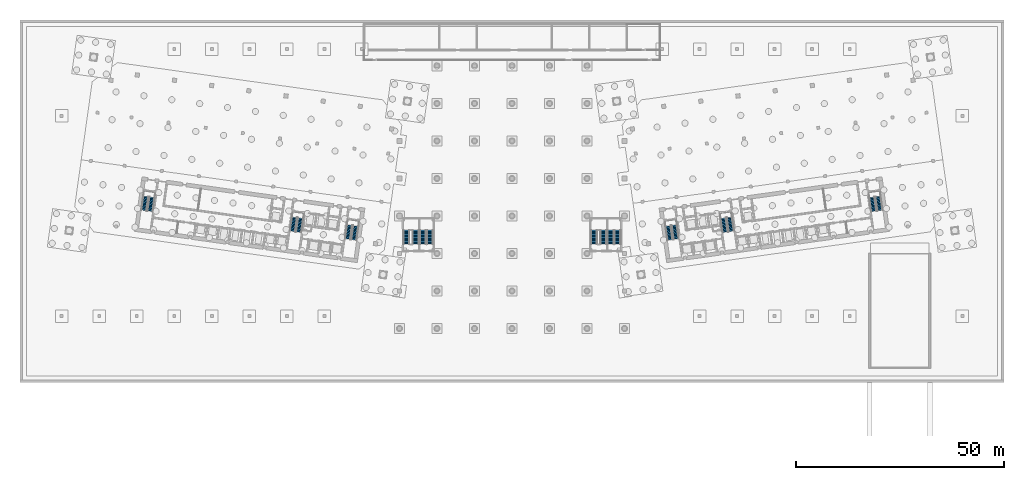
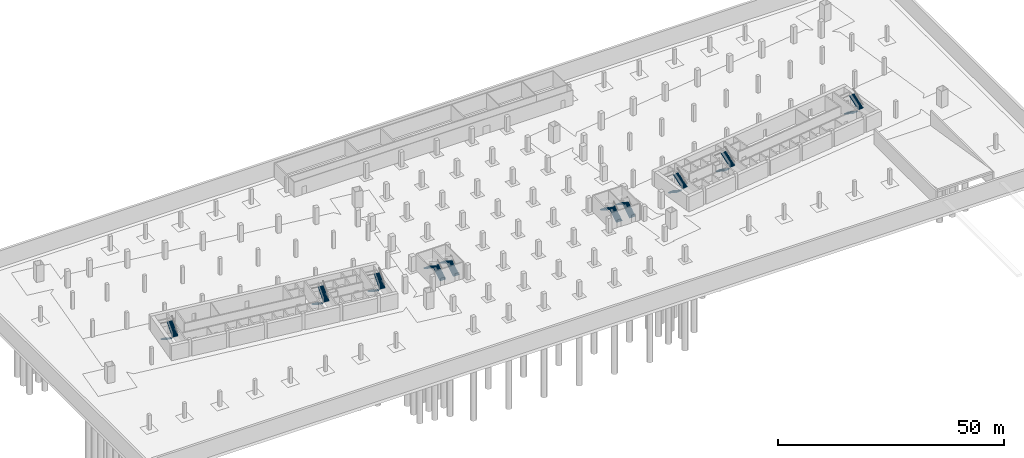
# One storey, part 14 of 19: 20 stair flights, 10 elements without a shape of their own.
"""IFC4 building model written with IfcOpenShell, lengths in metres."""

import ifcopenshell
import ifcopenshell.guid

model = None  # the IFC model being written
_history = None  # IfcOwnerHistory: only IFC2X3 demands one
_inside = {}  # id of a spatial element -> (the spatial element, [elements in it])
_under = {}  # id of a project, library or spatial element -> (it, [spatial elements below it])
_declared = {}  # id of a project -> (the project, [libraries it declares])
_typed = {}  # id of a type object -> (the type object, [elements of that type])
_made_of = {}  # id of a material, layer set ... -> (it, [elements and type objects made of it])


def new_model(schema):
    """Start an empty IFC model of exactly this schema.

    Asked for "IFC4X3", IfcOpenShell would pick the latest addendum, in which some entities
    have other attributes; the version numbers below select the first issue.
    IFC2X3 requires an IfcOwnerHistory on every rooted entity: one is made here for all.
    """
    global model, _history
    if schema == "IFC4X3":
        model = ifcopenshell.file(schema_version=(4, 3, 0, 0))
    else:
        model = ifcopenshell.file(schema=schema)
    _inside.clear()
    _under.clear()
    _declared.clear()
    _typed.clear()
    _made_of.clear()
    _history = None
    if model.schema == "IFC2X3":
        org = make("IfcOrganization", Name="unknown")
        user = make(
            "IfcPersonAndOrganization",
            ThePerson=make("IfcPerson", FamilyName="unknown"),
            TheOrganization=org,
        )
        app = make(
            "IfcApplication",
            ApplicationDeveloper=org,
            Version="unknown",
            ApplicationFullName="unknown",
            ApplicationIdentifier="unknown",
        )
        _history = make(
            "IfcOwnerHistory",
            OwningUser=user,
            OwningApplication=app,
            ChangeAction="ADDED",
            CreationDate=0,
        )
    return model


def make(cls, **values):
    """One entity of the class cls with the attributes given. An attribute that is None is left unset."""
    return model.create_entity(
        cls, **{name: value for name, value in values.items() if value is not None}
    )


def rooted(cls, **values):
    """An entity with a GlobalId (a new one), such as an element, a storey or a relation."""
    return make(cls, GlobalId=ifcopenshell.guid.new(), OwnerHistory=_history, **values)


def si_unit(unit_type, name, prefix=None):
    """IfcSIUnit, for example si_unit("LENGTHUNIT", "METRE", prefix="MILLI")."""
    return make("IfcSIUnit", UnitType=unit_type, Prefix=prefix, Name=name)


def assignment(units):
    """IfcUnitAssignment: the units of a project."""
    return None if units is None else make("IfcUnitAssignment", Units=units)


def point(xyz):
    """IfcCartesianPoint."""
    return None if xyz is None else make("IfcCartesianPoint", Coordinates=xyz)


def direction(xyz):
    """IfcDirection."""
    return None if xyz is None else make("IfcDirection", DirectionRatios=xyz)


def frame(location, z_axis=None, x_axis=None):
    """IfcAxis2Placement3D, a coordinate frame: its origin and axes. An axis left out is left unset."""
    return make(
        "IfcAxis2Placement3D",
        Location=point(location),
        Axis=direction(z_axis),
        RefDirection=direction(x_axis),
    )


def origin():
    """The frame at (0, 0, 0) with its axes left unset."""
    return frame((0.0, 0.0, 0.0))


def place(relative_to, where):
    """IfcLocalPlacement: puts the frame where relative to a parent placement (None: the world)."""
    return make(
        "IfcLocalPlacement", PlacementRelTo=relative_to, RelativePlacement=where
    )


def context(
    kind, dimensions, precision=None, world=None, true_north=None, identifier=None
):
    """IfcGeometricRepresentationContext, for example the 3D "Model" context."""
    return make(
        "IfcGeometricRepresentationContext",
        ContextIdentifier=identifier,
        ContextType=kind,
        CoordinateSpaceDimension=dimensions,
        Precision=precision,
        WorldCoordinateSystem=world,
        TrueNorth=true_north,
    )


def subcontext(parent, identifier, kind, view, scale=None):
    """IfcGeometricRepresentationSubContext, for example "Body" below "Model"."""
    return make(
        "IfcGeometricRepresentationSubContext",
        ContextIdentifier=identifier,
        ContextType=kind,
        ParentContext=parent,
        TargetScale=scale,
        TargetView=view,
    )


def project(units=None, contexts=None):
    """IfcProject with its units and contexts."""
    return rooted(
        "IfcProject",
        Name="project",
        RepresentationContexts=contexts,
        UnitsInContext=assignment(units),
    )


def spatial(cls, under=None, at=None, **own):
    """A site, building, storey or space (cls), placed at a placement, below another one or the project."""
    s = rooted(cls, ObjectPlacement=at, **own)
    if under is not None:
        _under.setdefault(under.id(), (under, []))[1].append(s)
    return s


def polyline(points):
    """IfcPolyline through the points."""
    return make("IfcPolyline", Points=[point(p) for p in points])


def outline(outer, holes=None, kind="AREA"):
    """IfcArbitraryClosedProfileDef: a profile drawn as a closed curve; with holes, ...WithVoids."""
    if holes is None:
        return make("IfcArbitraryClosedProfileDef", ProfileType=kind, OuterCurve=outer)
    return make(
        "IfcArbitraryProfileDefWithVoids",
        ProfileType=kind,
        OuterCurve=outer,
        InnerCurves=holes,
    )


def extrude(swept, where, along, depth):
    """IfcExtrudedAreaSolid: the profile swept, set in the frame where, extruded along a direction by depth."""
    return make(
        "IfcExtrudedAreaSolid",
        SweptArea=swept,
        Position=where,
        ExtrudedDirection=direction(along),
        Depth=depth,
    )


def shape(context_of_items, identifier, shape_type, items):
    """IfcShapeRepresentation: the items that make up one representation, for example the "Body"."""
    return make(
        "IfcShapeRepresentation",
        ContextOfItems=context_of_items,
        RepresentationIdentifier=identifier,
        RepresentationType=shape_type,
        Items=items,
    )


def material(Name=None, Category=None):
    """IfcMaterial."""
    return make("IfcMaterial", Name=Name, Category=Category)


def made_of(thing, what):
    """Note that an element or type object is made of a material, layer set ...; save() writes the relation."""
    if what is not None:
        _made_of.setdefault(what.id(), (what, []))[1].append(thing)
    return thing


def type_object(cls, material=None, **own):
    """A type object (cls), such as IfcWallType, which elements share."""
    return made_of(rooted(cls, **own), material)


def element(
    cls,
    number,
    at=None,
    inside=None,
    cuts=None,
    type_object=None,
    material=None,
    context=None,
    identifier="Body",
    shape_type=None,
    held_by="IfcProductDefinitionShape",
    body=None,
    shapes=None,
    **own,
):
    """One element of the class cls, such as IfcWall. Its Tag is "e" and its number.

    at: its placement. inside: the storey or other place that contains it. cuts: it is an
    opening in that element (IfcRelVoidsElement). A single representation is given by context,
    identifier, shape_type and body (its items); several are given by shapes. held_by: the class
    of the entity that holds the representations. save() writes the other relations.
    """
    e = rooted(cls, Tag="e%d" % number, ObjectPlacement=at, **own)
    if body is not None:
        shapes = [shape(context, identifier, shape_type, body)]
    if shapes is not None:
        e.Representation = make(held_by, Representations=shapes)
    if inside is not None:
        _inside.setdefault(inside.id(), (inside, []))[1].append(e)
    if cuts is not None:
        rooted(
            "IfcRelVoidsElement", RelatingBuildingElement=cuts, RelatedOpeningElement=e
        )
    if type_object is not None:
        _typed.setdefault(type_object.id(), (type_object, []))[1].append(e)
    return made_of(e, material)


def aggregate(whole, parts):
    """IfcRelAggregates: a whole, such as a stair, and the parts it consists of."""
    return rooted("IfcRelAggregates", RelatingObject=whole, RelatedObjects=parts)


def save(model, path):
    """Write the relations noted so far, then the file.

    IfcRelAggregates (storeys below a building ...), IfcRelContainedInSpatialStructure (elements
    in a storey), IfcRelDefinesByType, IfcRelAssociatesMaterial and IfcRelDeclares: one each for
    every whole, place, type object, material and project.
    """
    for whole, parts in _under.values():
        aggregate(whole, parts)
    for where, things in _inside.values():
        rooted(
            "IfcRelContainedInSpatialStructure",
            RelatedElements=things,
            RelatingStructure=where,
        )
    for kind, things in _typed.values():
        rooted("IfcRelDefinesByType", RelatedObjects=things, RelatingType=kind)
    for what, things in _made_of.values():
        rooted("IfcRelAssociatesMaterial", RelatedObjects=things, RelatingMaterial=what)
    for by, libraries in _declared.values():
        rooted("IfcRelDeclares", RelatingContext=by, RelatedDefinitions=libraries)
    model.write(path)


model = new_model("IFC4")

# Units and contexts
model_context = context("Model", 3, precision=1e-05, world=origin(), true_north=direction((0.0, 1.0)))
body_context = subcontext(model_context, "Body", "Model", "MODEL_VIEW")
ifc_project = project(units=[si_unit("LENGTHUNIT", "METRE"), si_unit("AREAUNIT", "SQUARE_METRE"), si_unit("VOLUMEUNIT", "CUBIC_METRE"), si_unit("PLANEANGLEUNIT", "RADIAN"), si_unit("MASSUNIT", "GRAM", prefix="KILO")], contexts=[model_context])

# Site, building, storey
site_placement = place(None, origin())
site = spatial("IfcSite", under=ifc_project, at=site_placement, CompositionType="ELEMENT")
building_placement = place(site_placement, origin())
building = spatial("IfcBuilding", under=site, at=building_placement, Name="Mirante Cascada Hotel Towers", CompositionType="ELEMENT")
storey_placement = place(building_placement, frame((0.0, 0.0, -9.0)))
storey = spatial("IfcBuildingStorey", under=building, at=storey_placement, Name="B2", CompositionType="ELEMENT", Elevation=-9.0)

# Stair, stair flights
ifc_material_1 = material(Name="Concrete C35/45", Category="concrete")
stair_type_1 = type_object("IfcStairType", Name="Exit stair half-turn 1350 concrete C35/45", PredefinedType="HALF_TURN_STAIR", material=ifc_material_1)
stair_1_placement = place(storey_placement, origin())
stair_1 = element("IfcStair", 1, at=stair_1_placement, inside=storey, type_object=stair_type_1, Name="B2 Exit stair A", PredefinedType="HALF_TURN_STAIR")
ifc_material_2 = material(Name="Concrete C35/45", Category="concrete")
stair_flight_type_1 = type_object("IfcStairFlightType", Name="Exit stair flight 1350 concrete C35/45", PredefinedType="STRAIGHT", material=ifc_material_2)
stair_flight_1_placement = place(storey_placement, frame((-38.9417, -11.195, 0.0), z_axis=(0.0, 0.0, 1.0), x_axis=(-0.1391731, -0.9902681, 0.0)))
stair_flight_1 = element("IfcStairFlight", 2, at=stair_flight_1_placement, type_object=stair_flight_type_1, Name="ST1-A flight 1", NumberOfRisers=13, NumberOfTreads=12, PredefinedType="STRAIGHT", RiserHeight=0.173076923, TreadLength=0.28, context=body_context, shape_type="SweptSolid", body=[
    extrude(outline(polyline([(0.0, 0.0), (0.0, 0.1731), (0.28, 0.1731), (0.28, 0.3462), (0.56, 0.3462), (0.56, 0.5192), (0.84, 0.5192), (0.84, 0.6923), (1.12, 0.6923), (1.12, 0.8654), (1.4, 0.8654), (1.4, 1.0385), (1.68, 1.0385), (1.68, 1.2115), (1.96, 1.2115), (1.96, 1.3846), (2.24, 1.3846), (2.24, 1.5577), (2.52, 1.5577), (2.52, 1.7308), (2.8, 1.7308), (2.8, 1.9038), (3.08, 1.9038), (3.08, 2.0769), (3.36, 2.0769), (3.36, 2.25), (3.36, 1.9006), (0.2853, 0.0), (0.0, 0.0)])), frame((0.0, 0.675, 0.0), z_axis=(0.0, -1.0, 0.0), x_axis=(1.0, 0.0, 0.0)), (0.0, 0.0, 1.0), 1.35),
])
stair_flight_2_placement = place(storey_placement, frame((-37.9239, -14.7311, 2.25), z_axis=(0.0, 0.0, 1.0), x_axis=(0.1391731, 0.9902681, 0.0)))
stair_flight_2 = element("IfcStairFlight", 3, at=stair_flight_2_placement, type_object=stair_flight_type_1, Name="ST1-A flight 2", NumberOfRisers=13, NumberOfTreads=12, PredefinedType="STRAIGHT", RiserHeight=0.173076923, TreadLength=0.28, context=body_context, shape_type="SweptSolid", body=[
    extrude(outline(polyline([(0.0, 0.0), (0.0, 0.1731), (0.28, 0.1731), (0.28, 0.3462), (0.56, 0.3462), (0.56, 0.5192), (0.84, 0.5192), (0.84, 0.6923), (1.12, 0.6923), (1.12, 0.8654), (1.4, 0.8654), (1.4, 1.0385), (1.68, 1.0385), (1.68, 1.2115), (1.96, 1.2115), (1.96, 1.3846), (2.24, 1.3846), (2.24, 1.5577), (2.52, 1.5577), (2.52, 1.7308), (2.8, 1.7308), (2.8, 1.9038), (3.08, 1.9038), (3.08, 2.0769), (3.36, 2.0769), (3.36, 2.25), (3.36, 1.9006), (0.2853, 0.0), (0.0, 0.0)])), frame((0.0, 0.675, 0.0), z_axis=(0.0, -1.0, 0.0), x_axis=(1.0, 0.0, 0.0)), (0.0, 0.0, 1.0), 1.35),
])
aggregate(stair_1, [stair_flight_1, stair_flight_2])

stair_2_placement = place(storey_placement, origin())
stair_2 = element("IfcStair", 4, at=stair_2_placement, inside=storey, type_object=stair_type_1, Name="B2 Exit stair B", PredefinedType="HALF_TURN_STAIR")
stair_flight_3_placement = place(storey_placement, frame((-52.1618, -9.3371, 0.0), z_axis=(0.0, 0.0, 1.0), x_axis=(-0.1391731, -0.9902681, 0.0)))
stair_flight_3 = element("IfcStairFlight", 5, at=stair_flight_3_placement, type_object=stair_flight_type_1, Name="ST1-B flight 1", NumberOfRisers=13, NumberOfTreads=12, PredefinedType="STRAIGHT", RiserHeight=0.173076923, TreadLength=0.28, context=body_context, shape_type="SweptSolid", body=[
    extrude(outline(polyline([(0.0, 0.0), (0.0, 0.1731), (0.28, 0.1731), (0.28, 0.3462), (0.56, 0.3462), (0.56, 0.5192), (0.84, 0.5192), (0.84, 0.6923), (1.12, 0.6923), (1.12, 0.8654), (1.4, 0.8654), (1.4, 1.0385), (1.68, 1.0385), (1.68, 1.2115), (1.96, 1.2115), (1.96, 1.3846), (2.24, 1.3846), (2.24, 1.5577), (2.52, 1.5577), (2.52, 1.7308), (2.8, 1.7308), (2.8, 1.9038), (3.08, 1.9038), (3.08, 2.0769), (3.36, 2.0769), (3.36, 2.25), (3.36, 1.9006), (0.2853, 0.0), (0.0, 0.0)])), frame((0.0, 0.675, 0.0), z_axis=(0.0, -1.0, 0.0), x_axis=(1.0, 0.0, 0.0)), (0.0, 0.0, 1.0), 1.35),
])
stair_flight_4_placement = place(storey_placement, frame((-51.144, -12.8731, 2.25), z_axis=(0.0, 0.0, 1.0), x_axis=(0.1391731, 0.9902681, 0.0)))
stair_flight_4 = element("IfcStairFlight", 6, at=stair_flight_4_placement, type_object=stair_flight_type_1, Name="ST1-B flight 2", NumberOfRisers=13, NumberOfTreads=12, PredefinedType="STRAIGHT", RiserHeight=0.173076923, TreadLength=0.28, context=body_context, shape_type="SweptSolid", body=[
    extrude(outline(polyline([(0.0, 0.0), (0.0, 0.1731), (0.28, 0.1731), (0.28, 0.3462), (0.56, 0.3462), (0.56, 0.5192), (0.84, 0.5192), (0.84, 0.6923), (1.12, 0.6923), (1.12, 0.8654), (1.4, 0.8654), (1.4, 1.0385), (1.68, 1.0385), (1.68, 1.2115), (1.96, 1.2115), (1.96, 1.3846), (2.24, 1.3846), (2.24, 1.5577), (2.52, 1.5577), (2.52, 1.7308), (2.8, 1.7308), (2.8, 1.9038), (3.08, 1.9038), (3.08, 2.0769), (3.36, 2.0769), (3.36, 2.25), (3.36, 1.9006), (0.2853, 0.0), (0.0, 0.0)])), frame((0.0, 0.675, 0.0), z_axis=(0.0, -1.0, 0.0), x_axis=(1.0, 0.0, 0.0)), (0.0, 0.0, 1.0), 1.35),
])
aggregate(stair_2, [stair_flight_3, stair_flight_4])

stair_3_placement = place(storey_placement, origin())
stair_3 = element("IfcStair", 7, at=stair_3_placement, inside=storey, type_object=stair_type_1, Name="B2 Exit stair C", PredefinedType="HALF_TURN_STAIR")
stair_flight_5_placement = place(storey_placement, frame((-87.8115, -4.3268, 0.0), z_axis=(0.0, 0.0, 1.0), x_axis=(-0.1391731, -0.9902681, 0.0)))
stair_flight_5 = element("IfcStairFlight", 8, at=stair_flight_5_placement, type_object=stair_flight_type_1, Name="ST1-C flight 1", NumberOfRisers=13, NumberOfTreads=12, PredefinedType="STRAIGHT", RiserHeight=0.173076923, TreadLength=0.28, context=body_context, shape_type="SweptSolid", body=[
    extrude(outline(polyline([(0.0, 0.0), (0.0, 0.1731), (0.28, 0.1731), (0.28, 0.3462), (0.56, 0.3462), (0.56, 0.5192), (0.84, 0.5192), (0.84, 0.6923), (1.12, 0.6923), (1.12, 0.8654), (1.4, 0.8654), (1.4, 1.0385), (1.68, 1.0385), (1.68, 1.2115), (1.96, 1.2115), (1.96, 1.3846), (2.24, 1.3846), (2.24, 1.5577), (2.52, 1.5577), (2.52, 1.7308), (2.8, 1.7308), (2.8, 1.9038), (3.08, 1.9038), (3.08, 2.0769), (3.36, 2.0769), (3.36, 2.25), (3.36, 1.9006), (0.2853, 0.0), (0.0, 0.0)])), frame((0.0, 0.675, 0.0), z_axis=(0.0, -1.0, 0.0), x_axis=(1.0, 0.0, 0.0)), (0.0, 0.0, 1.0), 1.35),
])
stair_flight_6_placement = place(storey_placement, frame((-86.7937, -7.8629, 2.25), z_axis=(0.0, 0.0, 1.0), x_axis=(0.1391731, 0.9902681, 0.0)))
stair_flight_6 = element("IfcStairFlight", 9, at=stair_flight_6_placement, type_object=stair_flight_type_1, Name="ST1-C flight 2", NumberOfRisers=13, NumberOfTreads=12, PredefinedType="STRAIGHT", RiserHeight=0.173076923, TreadLength=0.28, context=body_context, shape_type="SweptSolid", body=[
    extrude(outline(polyline([(0.0, 0.0), (0.0, 0.1731), (0.28, 0.1731), (0.28, 0.3462), (0.56, 0.3462), (0.56, 0.5192), (0.84, 0.5192), (0.84, 0.6923), (1.12, 0.6923), (1.12, 0.8654), (1.4, 0.8654), (1.4, 1.0385), (1.68, 1.0385), (1.68, 1.2115), (1.96, 1.2115), (1.96, 1.3846), (2.24, 1.3846), (2.24, 1.5577), (2.52, 1.5577), (2.52, 1.7308), (2.8, 1.7308), (2.8, 1.9038), (3.08, 1.9038), (3.08, 2.0769), (3.36, 2.0769), (3.36, 2.25), (3.36, 1.9006), (0.2853, 0.0), (0.0, 0.0)])), frame((0.0, 0.675, 0.0), z_axis=(0.0, -1.0, 0.0), x_axis=(1.0, 0.0, 0.0)), (0.0, 0.0, 1.0), 1.35),
])
aggregate(stair_3, [stair_flight_5, stair_flight_6])

stair_4_placement = place(storey_placement, origin())
stair_4 = element("IfcStair", 10, at=stair_4_placement, inside=storey, type_object=stair_type_1, Name="B2 Exit stair A", PredefinedType="HALF_TURN_STAIR")
stair_flight_7_placement = place(storey_placement, frame((37.4563, -11.4038, 0.0), z_axis=(0.0, 0.0, 1.0), x_axis=(0.1391731, -0.9902681, 0.0)))
stair_flight_7 = element("IfcStairFlight", 11, at=stair_flight_7_placement, type_object=stair_flight_type_1, Name="ST2-A flight 1", NumberOfRisers=13, NumberOfTreads=12, PredefinedType="STRAIGHT", RiserHeight=0.173076923, TreadLength=0.28, context=body_context, shape_type="SweptSolid", body=[
    extrude(outline(polyline([(0.0, 0.0), (0.0, 0.1731), (0.28, 0.1731), (0.28, 0.3462), (0.56, 0.3462), (0.56, 0.5192), (0.84, 0.5192), (0.84, 0.6923), (1.12, 0.6923), (1.12, 0.8654), (1.4, 0.8654), (1.4, 1.0385), (1.68, 1.0385), (1.68, 1.2115), (1.96, 1.2115), (1.96, 1.3846), (2.24, 1.3846), (2.24, 1.5577), (2.52, 1.5577), (2.52, 1.7308), (2.8, 1.7308), (2.8, 1.9038), (3.08, 1.9038), (3.08, 2.0769), (3.36, 2.0769), (3.36, 2.25), (3.36, 1.9006), (0.2853, 0.0), (0.0, 0.0)])), frame((0.0, 0.675, 0.0), z_axis=(0.0, -1.0, 0.0), x_axis=(1.0, 0.0, 0.0)), (0.0, 0.0, 1.0), 1.35),
])
stair_flight_8_placement = place(storey_placement, frame((39.4093, -14.5223, 2.25), z_axis=(0.0, 0.0, 1.0), x_axis=(-0.1391731, 0.9902681, 0.0)))
stair_flight_8 = element("IfcStairFlight", 12, at=stair_flight_8_placement, type_object=stair_flight_type_1, Name="ST2-A flight 2", NumberOfRisers=13, NumberOfTreads=12, PredefinedType="STRAIGHT", RiserHeight=0.173076923, TreadLength=0.28, context=body_context, shape_type="SweptSolid", body=[
    extrude(outline(polyline([(0.0, 0.0), (0.0, 0.1731), (0.28, 0.1731), (0.28, 0.3462), (0.56, 0.3462), (0.56, 0.5192), (0.84, 0.5192), (0.84, 0.6923), (1.12, 0.6923), (1.12, 0.8654), (1.4, 0.8654), (1.4, 1.0385), (1.68, 1.0385), (1.68, 1.2115), (1.96, 1.2115), (1.96, 1.3846), (2.24, 1.3846), (2.24, 1.5577), (2.52, 1.5577), (2.52, 1.7308), (2.8, 1.7308), (2.8, 1.9038), (3.08, 1.9038), (3.08, 2.0769), (3.36, 2.0769), (3.36, 2.25), (3.36, 1.9006), (0.2853, 0.0), (0.0, 0.0)])), frame((0.0, 0.675, 0.0), z_axis=(0.0, -1.0, 0.0), x_axis=(1.0, 0.0, 0.0)), (0.0, 0.0, 1.0), 1.35),
])
aggregate(stair_4, [stair_flight_7, stair_flight_8])

stair_5_placement = place(storey_placement, origin())
stair_5 = element("IfcStair", 13, at=stair_5_placement, inside=storey, type_object=stair_type_1, Name="B2 Exit stair B", PredefinedType="HALF_TURN_STAIR")
stair_flight_9_placement = place(storey_placement, frame((50.6764, -9.5458, 0.0), z_axis=(0.0, 0.0, 1.0), x_axis=(0.1391731, -0.9902681, 0.0)))
stair_flight_9 = element("IfcStairFlight", 14, at=stair_flight_9_placement, type_object=stair_flight_type_1, Name="ST2-B flight 1", NumberOfRisers=13, NumberOfTreads=12, PredefinedType="STRAIGHT", RiserHeight=0.173076923, TreadLength=0.28, context=body_context, shape_type="SweptSolid", body=[
    extrude(outline(polyline([(0.0, 0.0), (0.0, 0.1731), (0.28, 0.1731), (0.28, 0.3462), (0.56, 0.3462), (0.56, 0.5192), (0.84, 0.5192), (0.84, 0.6923), (1.12, 0.6923), (1.12, 0.8654), (1.4, 0.8654), (1.4, 1.0385), (1.68, 1.0385), (1.68, 1.2115), (1.96, 1.2115), (1.96, 1.3846), (2.24, 1.3846), (2.24, 1.5577), (2.52, 1.5577), (2.52, 1.7308), (2.8, 1.7308), (2.8, 1.9038), (3.08, 1.9038), (3.08, 2.0769), (3.36, 2.0769), (3.36, 2.25), (3.36, 1.9006), (0.2853, 0.0), (0.0, 0.0)])), frame((0.0, 0.675, 0.0), z_axis=(0.0, -1.0, 0.0), x_axis=(1.0, 0.0, 0.0)), (0.0, 0.0, 1.0), 1.35),
])
stair_flight_10_placement = place(storey_placement, frame((52.6294, -12.6644, 2.25), z_axis=(0.0, 0.0, 1.0), x_axis=(-0.1391731, 0.9902681, 0.0)))
stair_flight_10 = element("IfcStairFlight", 15, at=stair_flight_10_placement, type_object=stair_flight_type_1, Name="ST2-B flight 2", NumberOfRisers=13, NumberOfTreads=12, PredefinedType="STRAIGHT", RiserHeight=0.173076923, TreadLength=0.28, context=body_context, shape_type="SweptSolid", body=[
    extrude(outline(polyline([(0.0, 0.0), (0.0, 0.1731), (0.28, 0.1731), (0.28, 0.3462), (0.56, 0.3462), (0.56, 0.5192), (0.84, 0.5192), (0.84, 0.6923), (1.12, 0.6923), (1.12, 0.8654), (1.4, 0.8654), (1.4, 1.0385), (1.68, 1.0385), (1.68, 1.2115), (1.96, 1.2115), (1.96, 1.3846), (2.24, 1.3846), (2.24, 1.5577), (2.52, 1.5577), (2.52, 1.7308), (2.8, 1.7308), (2.8, 1.9038), (3.08, 1.9038), (3.08, 2.0769), (3.36, 2.0769), (3.36, 2.25), (3.36, 1.9006), (0.2853, 0.0), (0.0, 0.0)])), frame((0.0, 0.675, 0.0), z_axis=(0.0, -1.0, 0.0), x_axis=(1.0, 0.0, 0.0)), (0.0, 0.0, 1.0), 1.35),
])
aggregate(stair_5, [stair_flight_9, stair_flight_10])

stair_6_placement = place(storey_placement, origin())
stair_6 = element("IfcStair", 16, at=stair_6_placement, inside=storey, type_object=stair_type_1, Name="B2 Exit stair C", PredefinedType="HALF_TURN_STAIR")
stair_flight_11_placement = place(storey_placement, frame((86.326, -4.5356, 0.0), z_axis=(0.0, 0.0, 1.0), x_axis=(0.1391731, -0.9902681, 0.0)))
stair_flight_11 = element("IfcStairFlight", 17, at=stair_flight_11_placement, type_object=stair_flight_type_1, Name="ST2-C flight 1", NumberOfRisers=13, NumberOfTreads=12, PredefinedType="STRAIGHT", RiserHeight=0.173076923, TreadLength=0.28, context=body_context, shape_type="SweptSolid", body=[
    extrude(outline(polyline([(0.0, 0.0), (0.0, 0.1731), (0.28, 0.1731), (0.28, 0.3462), (0.56, 0.3462), (0.56, 0.5192), (0.84, 0.5192), (0.84, 0.6923), (1.12, 0.6923), (1.12, 0.8654), (1.4, 0.8654), (1.4, 1.0385), (1.68, 1.0385), (1.68, 1.2115), (1.96, 1.2115), (1.96, 1.3846), (2.24, 1.3846), (2.24, 1.5577), (2.52, 1.5577), (2.52, 1.7308), (2.8, 1.7308), (2.8, 1.9038), (3.08, 1.9038), (3.08, 2.0769), (3.36, 2.0769), (3.36, 2.25), (3.36, 1.9006), (0.2853, 0.0), (0.0, 0.0)])), frame((0.0, 0.675, 0.0), z_axis=(0.0, -1.0, 0.0), x_axis=(1.0, 0.0, 0.0)), (0.0, 0.0, 1.0), 1.35),
])
stair_flight_12_placement = place(storey_placement, frame((88.2791, -7.6541, 2.25), z_axis=(0.0, 0.0, 1.0), x_axis=(-0.1391731, 0.9902681, 0.0)))
stair_flight_12 = element("IfcStairFlight", 18, at=stair_flight_12_placement, type_object=stair_flight_type_1, Name="ST2-C flight 2", NumberOfRisers=13, NumberOfTreads=12, PredefinedType="STRAIGHT", RiserHeight=0.173076923, TreadLength=0.28, context=body_context, shape_type="SweptSolid", body=[
    extrude(outline(polyline([(0.0, 0.0), (0.0, 0.1731), (0.28, 0.1731), (0.28, 0.3462), (0.56, 0.3462), (0.56, 0.5192), (0.84, 0.5192), (0.84, 0.6923), (1.12, 0.6923), (1.12, 0.8654), (1.4, 0.8654), (1.4, 1.0385), (1.68, 1.0385), (1.68, 1.2115), (1.96, 1.2115), (1.96, 1.3846), (2.24, 1.3846), (2.24, 1.5577), (2.52, 1.5577), (2.52, 1.7308), (2.8, 1.7308), (2.8, 1.9038), (3.08, 1.9038), (3.08, 2.0769), (3.36, 2.0769), (3.36, 2.25), (3.36, 1.9006), (0.2853, 0.0), (0.0, 0.0)])), frame((0.0, 0.675, 0.0), z_axis=(0.0, -1.0, 0.0), x_axis=(1.0, 0.0, 0.0)), (0.0, 0.0, 1.0), 1.35),
])
aggregate(stair_6, [stair_flight_11, stair_flight_12])

ifc_material_3 = material(Name="Concrete C35/45", Category="concrete")
stair_type_2 = type_object("IfcStairType", Name="Podium exit stair half-turn 1500 concrete C35/45", PredefinedType="HALF_TURN_STAIR", material=ifc_material_3)
stair_7_placement = place(storey_placement, origin())
stair_7 = element("IfcStair", 19, at=stair_7_placement, inside=storey, type_object=stair_type_2, Name="B2 Podium exit stair 3", PredefinedType="HALF_TURN_STAIR")
ifc_material_4 = material(Name="Concrete C35/45", Category="concrete")
stair_flight_type_2 = type_object("IfcStairFlightType", Name="Podium exit stair flight 1500 concrete C35/45", PredefinedType="STRAIGHT", material=ifc_material_4)
stair_flight_13_placement = place(storey_placement, frame((-19.675, -15.775, 0.0), z_axis=(0.0, 0.0, 1.0), x_axis=(0.0, 1.0, 0.0)))
stair_flight_13 = element("IfcStairFlight", 20, at=stair_flight_13_placement, type_object=stair_flight_type_2, Name="PS1 flight 1", NumberOfRisers=13, NumberOfTreads=12, PredefinedType="STRAIGHT", RiserHeight=0.173076923, TreadLength=0.28, context=body_context, shape_type="SweptSolid", body=[
    extrude(outline(polyline([(0.0, 0.0), (0.0, 0.1731), (0.28, 0.1731), (0.28, 0.3462), (0.56, 0.3462), (0.56, 0.5192), (0.84, 0.5192), (0.84, 0.6923), (1.12, 0.6923), (1.12, 0.8654), (1.4, 0.8654), (1.4, 1.0385), (1.68, 1.0385), (1.68, 1.2115), (1.96, 1.2115), (1.96, 1.3846), (2.24, 1.3846), (2.24, 1.5577), (2.52, 1.5577), (2.52, 1.7308), (2.8, 1.7308), (2.8, 1.9038), (3.08, 1.9038), (3.08, 2.0769), (3.36, 2.0769), (3.36, 2.25), (3.36, 1.9006), (0.2853, 0.0), (0.0, 0.0)])), frame((0.0, 0.75, 0.0), z_axis=(0.0, -1.0, 0.0), x_axis=(1.0, 0.0, 0.0)), (0.0, 0.0, 1.0), 1.5),
])
stair_flight_14_placement = place(storey_placement, frame((-21.325, -12.415, 2.25), z_axis=(0.0, 0.0, 1.0), x_axis=(0.0, -1.0, 0.0)))
stair_flight_14 = element("IfcStairFlight", 21, at=stair_flight_14_placement, type_object=stair_flight_type_2, Name="PS1 flight 2", NumberOfRisers=13, NumberOfTreads=12, PredefinedType="STRAIGHT", RiserHeight=0.173076923, TreadLength=0.28, context=body_context, shape_type="SweptSolid", body=[
    extrude(outline(polyline([(0.0, 0.0), (0.0, 0.1731), (0.28, 0.1731), (0.28, 0.3462), (0.56, 0.3462), (0.56, 0.5192), (0.84, 0.5192), (0.84, 0.6923), (1.12, 0.6923), (1.12, 0.8654), (1.4, 0.8654), (1.4, 1.0385), (1.68, 1.0385), (1.68, 1.2115), (1.96, 1.2115), (1.96, 1.3846), (2.24, 1.3846), (2.24, 1.5577), (2.52, 1.5577), (2.52, 1.7308), (2.8, 1.7308), (2.8, 1.9038), (3.08, 1.9038), (3.08, 2.0769), (3.36, 2.0769), (3.36, 2.25), (3.36, 1.9006), (0.2853, 0.0), (0.0, 0.0)])), frame((0.0, 0.75, 0.0), z_axis=(0.0, -1.0, 0.0), x_axis=(1.0, 0.0, 0.0)), (0.0, 0.0, 1.0), 1.5),
])
aggregate(stair_7, [stair_flight_13, stair_flight_14])

stair_8_placement = place(storey_placement, origin())
stair_8 = element("IfcStair", 22, at=stair_8_placement, inside=storey, type_object=stair_type_2, Name="B2 Podium exit stair 5", PredefinedType="HALF_TURN_STAIR")
stair_flight_15_placement = place(storey_placement, frame((-23.075, -15.775, 0.0), z_axis=(0.0, 0.0, 1.0), x_axis=(0.0, 1.0, 0.0)))
stair_flight_15 = element("IfcStairFlight", 23, at=stair_flight_15_placement, type_object=stair_flight_type_2, Name="PS3 flight 1", NumberOfRisers=13, NumberOfTreads=12, PredefinedType="STRAIGHT", RiserHeight=0.173076923, TreadLength=0.28, context=body_context, shape_type="SweptSolid", body=[
    extrude(outline(polyline([(0.0, 0.0), (0.0, 0.1731), (0.28, 0.1731), (0.28, 0.3462), (0.56, 0.3462), (0.56, 0.5192), (0.84, 0.5192), (0.84, 0.6923), (1.12, 0.6923), (1.12, 0.8654), (1.4, 0.8654), (1.4, 1.0385), (1.68, 1.0385), (1.68, 1.2115), (1.96, 1.2115), (1.96, 1.3846), (2.24, 1.3846), (2.24, 1.5577), (2.52, 1.5577), (2.52, 1.7308), (2.8, 1.7308), (2.8, 1.9038), (3.08, 1.9038), (3.08, 2.0769), (3.36, 2.0769), (3.36, 2.25), (3.36, 1.9006), (0.2853, 0.0), (0.0, 0.0)])), frame((0.0, 0.75, 0.0), z_axis=(0.0, -1.0, 0.0), x_axis=(1.0, 0.0, 0.0)), (0.0, 0.0, 1.0), 1.5),
])
stair_flight_16_placement = place(storey_placement, frame((-25.325, -12.415, 2.25), z_axis=(0.0, 0.0, 1.0), x_axis=(0.0, -1.0, 0.0)))
stair_flight_16 = element("IfcStairFlight", 24, at=stair_flight_16_placement, type_object=stair_flight_type_2, Name="PS3 flight 2", NumberOfRisers=13, NumberOfTreads=12, PredefinedType="STRAIGHT", RiserHeight=0.173076923, TreadLength=0.28, context=body_context, shape_type="SweptSolid", body=[
    extrude(outline(polyline([(0.0, 0.0), (0.0, 0.1731), (0.28, 0.1731), (0.28, 0.3462), (0.56, 0.3462), (0.56, 0.5192), (0.84, 0.5192), (0.84, 0.6923), (1.12, 0.6923), (1.12, 0.8654), (1.4, 0.8654), (1.4, 1.0385), (1.68, 1.0385), (1.68, 1.2115), (1.96, 1.2115), (1.96, 1.3846), (2.24, 1.3846), (2.24, 1.5577), (2.52, 1.5577), (2.52, 1.7308), (2.8, 1.7308), (2.8, 1.9038), (3.08, 1.9038), (3.08, 2.0769), (3.36, 2.0769), (3.36, 2.25), (3.36, 1.9006), (0.2853, 0.0), (0.0, 0.0)])), frame((0.0, 0.75, 0.0), z_axis=(0.0, -1.0, 0.0), x_axis=(1.0, 0.0, 0.0)), (0.0, 0.0, 1.0), 1.5),
])
aggregate(stair_8, [stair_flight_15, stair_flight_16])

stair_9_placement = place(storey_placement, origin())
stair_9 = element("IfcStair", 25, at=stair_9_placement, inside=storey, type_object=stair_type_2, Name="B2 Podium exit stair 4", PredefinedType="HALF_TURN_STAIR")
stair_flight_17_placement = place(storey_placement, frame((25.325, -15.775, 0.0), z_axis=(0.0, 0.0, 1.0), x_axis=(0.0, 1.0, 0.0)))
stair_flight_17 = element("IfcStairFlight", 26, at=stair_flight_17_placement, type_object=stair_flight_type_2, Name="PS2 flight 1", NumberOfRisers=13, NumberOfTreads=12, PredefinedType="STRAIGHT", RiserHeight=0.173076923, TreadLength=0.28, context=body_context, shape_type="SweptSolid", body=[
    extrude(outline(polyline([(0.0, 0.0), (0.0, 0.1731), (0.28, 0.1731), (0.28, 0.3462), (0.56, 0.3462), (0.56, 0.5192), (0.84, 0.5192), (0.84, 0.6923), (1.12, 0.6923), (1.12, 0.8654), (1.4, 0.8654), (1.4, 1.0385), (1.68, 1.0385), (1.68, 1.2115), (1.96, 1.2115), (1.96, 1.3846), (2.24, 1.3846), (2.24, 1.5577), (2.52, 1.5577), (2.52, 1.7308), (2.8, 1.7308), (2.8, 1.9038), (3.08, 1.9038), (3.08, 2.0769), (3.36, 2.0769), (3.36, 2.25), (3.36, 1.9006), (0.2853, 0.0), (0.0, 0.0)])), frame((0.0, 0.75, 0.0), z_axis=(0.0, -1.0, 0.0), x_axis=(1.0, 0.0, 0.0)), (0.0, 0.0, 1.0), 1.5),
])
stair_flight_18_placement = place(storey_placement, frame((23.675, -12.415, 2.25), z_axis=(0.0, 0.0, 1.0), x_axis=(0.0, -1.0, 0.0)))
stair_flight_18 = element("IfcStairFlight", 27, at=stair_flight_18_placement, type_object=stair_flight_type_2, Name="PS2 flight 2", NumberOfRisers=13, NumberOfTreads=12, PredefinedType="STRAIGHT", RiserHeight=0.173076923, TreadLength=0.28, context=body_context, shape_type="SweptSolid", body=[
    extrude(outline(polyline([(0.0, 0.0), (0.0, 0.1731), (0.28, 0.1731), (0.28, 0.3462), (0.56, 0.3462), (0.56, 0.5192), (0.84, 0.5192), (0.84, 0.6923), (1.12, 0.6923), (1.12, 0.8654), (1.4, 0.8654), (1.4, 1.0385), (1.68, 1.0385), (1.68, 1.2115), (1.96, 1.2115), (1.96, 1.3846), (2.24, 1.3846), (2.24, 1.5577), (2.52, 1.5577), (2.52, 1.7308), (2.8, 1.7308), (2.8, 1.9038), (3.08, 1.9038), (3.08, 2.0769), (3.36, 2.0769), (3.36, 2.25), (3.36, 1.9006), (0.2853, 0.0), (0.0, 0.0)])), frame((0.0, 0.75, 0.0), z_axis=(0.0, -1.0, 0.0), x_axis=(1.0, 0.0, 0.0)), (0.0, 0.0, 1.0), 1.5),
])
aggregate(stair_9, [stair_flight_17, stair_flight_18])

stair_10_placement = place(storey_placement, origin())
stair_10 = element("IfcStair", 28, at=stair_10_placement, inside=storey, type_object=stair_type_2, Name="B2 Podium exit stair 6", PredefinedType="HALF_TURN_STAIR")
stair_flight_19_placement = place(storey_placement, frame((21.925, -15.775, 0.0), z_axis=(0.0, 0.0, 1.0), x_axis=(0.0, 1.0, 0.0)))
stair_flight_19 = element("IfcStairFlight", 29, at=stair_flight_19_placement, type_object=stair_flight_type_2, Name="PS4 flight 1", NumberOfRisers=13, NumberOfTreads=12, PredefinedType="STRAIGHT", RiserHeight=0.173076923, TreadLength=0.28, context=body_context, shape_type="SweptSolid", body=[
    extrude(outline(polyline([(0.0, 0.0), (0.0, 0.1731), (0.28, 0.1731), (0.28, 0.3462), (0.56, 0.3462), (0.56, 0.5192), (0.84, 0.5192), (0.84, 0.6923), (1.12, 0.6923), (1.12, 0.8654), (1.4, 0.8654), (1.4, 1.0385), (1.68, 1.0385), (1.68, 1.2115), (1.96, 1.2115), (1.96, 1.3846), (2.24, 1.3846), (2.24, 1.5577), (2.52, 1.5577), (2.52, 1.7308), (2.8, 1.7308), (2.8, 1.9038), (3.08, 1.9038), (3.08, 2.0769), (3.36, 2.0769), (3.36, 2.25), (3.36, 1.9006), (0.2853, 0.0), (0.0, 0.0)])), frame((0.0, 0.75, 0.0), z_axis=(0.0, -1.0, 0.0), x_axis=(1.0, 0.0, 0.0)), (0.0, 0.0, 1.0), 1.5),
])
stair_flight_20_placement = place(storey_placement, frame((19.675, -12.415, 2.25), z_axis=(0.0, 0.0, 1.0), x_axis=(0.0, -1.0, 0.0)))
stair_flight_20 = element("IfcStairFlight", 30, at=stair_flight_20_placement, type_object=stair_flight_type_2, Name="PS4 flight 2", NumberOfRisers=13, NumberOfTreads=12, PredefinedType="STRAIGHT", RiserHeight=0.173076923, TreadLength=0.28, context=body_context, shape_type="SweptSolid", body=[
    extrude(outline(polyline([(0.0, 0.0), (0.0, 0.1731), (0.28, 0.1731), (0.28, 0.3462), (0.56, 0.3462), (0.56, 0.5192), (0.84, 0.5192), (0.84, 0.6923), (1.12, 0.6923), (1.12, 0.8654), (1.4, 0.8654), (1.4, 1.0385), (1.68, 1.0385), (1.68, 1.2115), (1.96, 1.2115), (1.96, 1.3846), (2.24, 1.3846), (2.24, 1.5577), (2.52, 1.5577), (2.52, 1.7308), (2.8, 1.7308), (2.8, 1.9038), (3.08, 1.9038), (3.08, 2.0769), (3.36, 2.0769), (3.36, 2.25), (3.36, 1.9006), (0.2853, 0.0), (0.0, 0.0)])), frame((0.0, 0.75, 0.0), z_axis=(0.0, -1.0, 0.0), x_axis=(1.0, 0.0, 0.0)), (0.0, 0.0, 1.0), 1.5),
])
aggregate(stair_10, [stair_flight_19, stair_flight_20])

save(model, "model.ifc")
